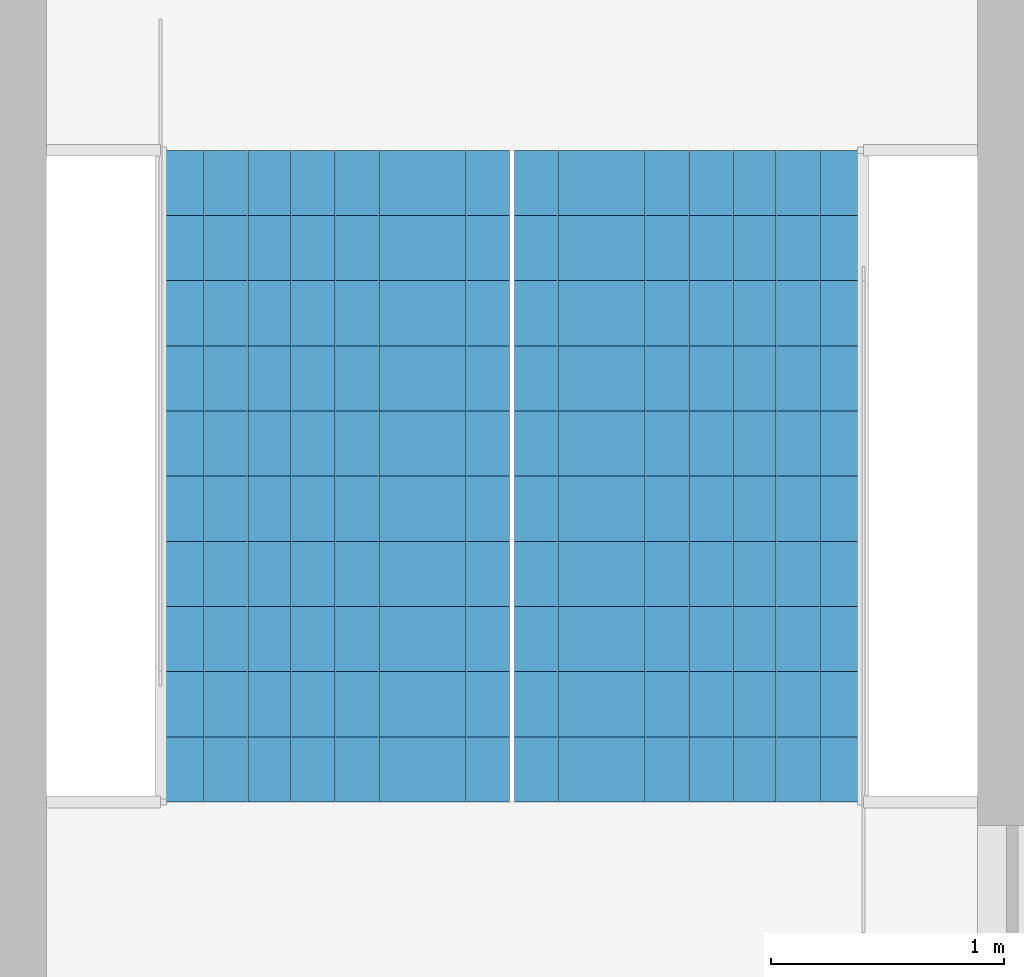
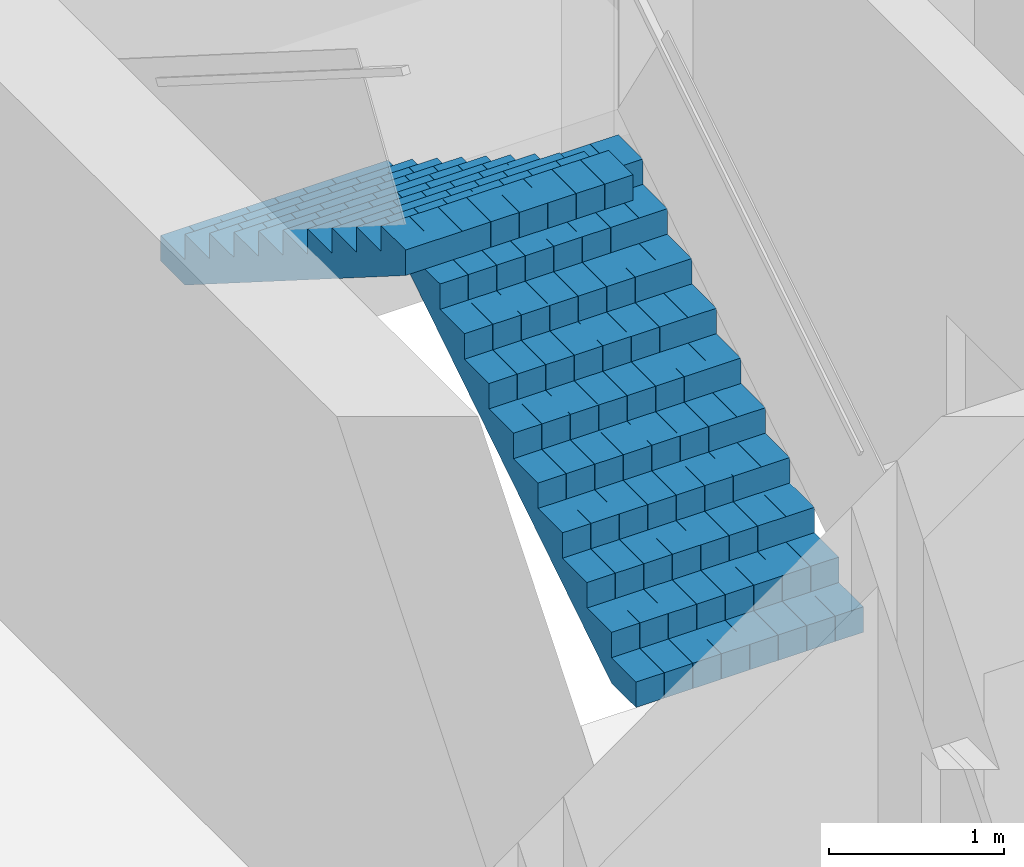
# One storey, part 13 of 15: 2 stair flights, 1 element without a shape of its own.
"""IFC4 building model written with IfcOpenShell, lengths in metres."""

import ifcopenshell
import ifcopenshell.guid

model = None  # the IFC model being written
_history = None  # IfcOwnerHistory: only IFC2X3 demands one
_inside = {}  # id of a spatial element -> (the spatial element, [elements in it])
_under = {}  # id of a project, library or spatial element -> (it, [spatial elements below it])
_declared = {}  # id of a project -> (the project, [libraries it declares])
_typed = {}  # id of a type object -> (the type object, [elements of that type])
_made_of = {}  # id of a material, layer set ... -> (it, [elements and type objects made of it])


def new_model(schema):
    """Start an empty IFC model of exactly this schema.

    Asked for "IFC4X3", IfcOpenShell would pick the latest addendum, in which some entities
    have other attributes; the version numbers below select the first issue.
    IFC2X3 requires an IfcOwnerHistory on every rooted entity: one is made here for all.
    """
    global model, _history
    if schema == "IFC4X3":
        model = ifcopenshell.file(schema_version=(4, 3, 0, 0))
    else:
        model = ifcopenshell.file(schema=schema)
    _inside.clear()
    _under.clear()
    _declared.clear()
    _typed.clear()
    _made_of.clear()
    _history = None
    if model.schema == "IFC2X3":
        org = make("IfcOrganization", Name="unknown")
        user = make(
            "IfcPersonAndOrganization",
            ThePerson=make("IfcPerson", FamilyName="unknown"),
            TheOrganization=org,
        )
        app = make(
            "IfcApplication",
            ApplicationDeveloper=org,
            Version="unknown",
            ApplicationFullName="unknown",
            ApplicationIdentifier="unknown",
        )
        _history = make(
            "IfcOwnerHistory",
            OwningUser=user,
            OwningApplication=app,
            ChangeAction="ADDED",
            CreationDate=0,
        )
    return model


def make(cls, **values):
    """One entity of the class cls with the attributes given. An attribute that is None is left unset."""
    return model.create_entity(
        cls, **{name: value for name, value in values.items() if value is not None}
    )


def rooted(cls, **values):
    """An entity with a GlobalId (a new one), such as an element, a storey or a relation."""
    return make(cls, GlobalId=ifcopenshell.guid.new(), OwnerHistory=_history, **values)


def si_unit(unit_type, name, prefix=None):
    """IfcSIUnit, for example si_unit("LENGTHUNIT", "METRE", prefix="MILLI")."""
    return make("IfcSIUnit", UnitType=unit_type, Prefix=prefix, Name=name)


def assignment(units):
    """IfcUnitAssignment: the units of a project."""
    return None if units is None else make("IfcUnitAssignment", Units=units)


def point(xyz):
    """IfcCartesianPoint."""
    return None if xyz is None else make("IfcCartesianPoint", Coordinates=xyz)


def direction(xyz):
    """IfcDirection."""
    return None if xyz is None else make("IfcDirection", DirectionRatios=xyz)


def frame(location, z_axis=None, x_axis=None):
    """IfcAxis2Placement3D, a coordinate frame: its origin and axes. An axis left out is left unset."""
    return make(
        "IfcAxis2Placement3D",
        Location=point(location),
        Axis=direction(z_axis),
        RefDirection=direction(x_axis),
    )


def origin():
    """The frame at (0, 0, 0) with its axes left unset."""
    return frame((0.0, 0.0, 0.0))


def place(relative_to, where):
    """IfcLocalPlacement: puts the frame where relative to a parent placement (None: the world)."""
    return make(
        "IfcLocalPlacement", PlacementRelTo=relative_to, RelativePlacement=where
    )


def context(
    kind, dimensions, precision=None, world=None, true_north=None, identifier=None
):
    """IfcGeometricRepresentationContext, for example the 3D "Model" context."""
    return make(
        "IfcGeometricRepresentationContext",
        ContextIdentifier=identifier,
        ContextType=kind,
        CoordinateSpaceDimension=dimensions,
        Precision=precision,
        WorldCoordinateSystem=world,
        TrueNorth=true_north,
    )


def subcontext(parent, identifier, kind, view, scale=None):
    """IfcGeometricRepresentationSubContext, for example "Body" below "Model"."""
    return make(
        "IfcGeometricRepresentationSubContext",
        ContextIdentifier=identifier,
        ContextType=kind,
        ParentContext=parent,
        TargetScale=scale,
        TargetView=view,
    )


def project(units=None, contexts=None):
    """IfcProject with its units and contexts."""
    return rooted(
        "IfcProject",
        Name="project",
        RepresentationContexts=contexts,
        UnitsInContext=assignment(units),
    )


def spatial(cls, under=None, at=None, **own):
    """A site, building, storey or space (cls), placed at a placement, below another one or the project."""
    s = rooted(cls, ObjectPlacement=at, **own)
    if under is not None:
        _under.setdefault(under.id(), (under, []))[1].append(s)
    return s


def polyline(points):
    """IfcPolyline through the points."""
    return make("IfcPolyline", Points=[point(p) for p in points])


def outline(outer, holes=None, kind="AREA"):
    """IfcArbitraryClosedProfileDef: a profile drawn as a closed curve; with holes, ...WithVoids."""
    if holes is None:
        return make("IfcArbitraryClosedProfileDef", ProfileType=kind, OuterCurve=outer)
    return make(
        "IfcArbitraryProfileDefWithVoids",
        ProfileType=kind,
        OuterCurve=outer,
        InnerCurves=holes,
    )


def extrude(swept, where, along, depth):
    """IfcExtrudedAreaSolid: the profile swept, set in the frame where, extruded along a direction by depth."""
    return make(
        "IfcExtrudedAreaSolid",
        SweptArea=swept,
        Position=where,
        ExtrudedDirection=direction(along),
        Depth=depth,
    )


def shape(context_of_items, identifier, shape_type, items):
    """IfcShapeRepresentation: the items that make up one representation, for example the "Body"."""
    return make(
        "IfcShapeRepresentation",
        ContextOfItems=context_of_items,
        RepresentationIdentifier=identifier,
        RepresentationType=shape_type,
        Items=items,
    )


def material(Name=None, Category=None):
    """IfcMaterial."""
    return make("IfcMaterial", Name=Name, Category=Category)


def made_of(thing, what):
    """Note that an element or type object is made of a material, layer set ...; save() writes the relation."""
    if what is not None:
        _made_of.setdefault(what.id(), (what, []))[1].append(thing)
    return thing


def type_object(cls, material=None, **own):
    """A type object (cls), such as IfcWallType, which elements share."""
    return made_of(rooted(cls, **own), material)


def element(
    cls,
    number,
    at=None,
    inside=None,
    cuts=None,
    type_object=None,
    material=None,
    context=None,
    identifier="Body",
    shape_type=None,
    held_by="IfcProductDefinitionShape",
    body=None,
    shapes=None,
    **own,
):
    """One element of the class cls, such as IfcWall. Its Tag is "e" and its number.

    at: its placement. inside: the storey or other place that contains it. cuts: it is an
    opening in that element (IfcRelVoidsElement). A single representation is given by context,
    identifier, shape_type and body (its items); several are given by shapes. held_by: the class
    of the entity that holds the representations. save() writes the other relations.
    """
    e = rooted(cls, Tag="e%d" % number, ObjectPlacement=at, **own)
    if body is not None:
        shapes = [shape(context, identifier, shape_type, body)]
    if shapes is not None:
        e.Representation = make(held_by, Representations=shapes)
    if inside is not None:
        _inside.setdefault(inside.id(), (inside, []))[1].append(e)
    if cuts is not None:
        rooted(
            "IfcRelVoidsElement", RelatingBuildingElement=cuts, RelatedOpeningElement=e
        )
    if type_object is not None:
        _typed.setdefault(type_object.id(), (type_object, []))[1].append(e)
    return made_of(e, material)


def aggregate(whole, parts):
    """IfcRelAggregates: a whole, such as a stair, and the parts it consists of."""
    return rooted("IfcRelAggregates", RelatingObject=whole, RelatedObjects=parts)


def save(model, path):
    """Write the relations noted so far, then the file.

    IfcRelAggregates (storeys below a building ...), IfcRelContainedInSpatialStructure (elements
    in a storey), IfcRelDefinesByType, IfcRelAssociatesMaterial and IfcRelDeclares: one each for
    every whole, place, type object, material and project.
    """
    for whole, parts in _under.values():
        aggregate(whole, parts)
    for where, things in _inside.values():
        rooted(
            "IfcRelContainedInSpatialStructure",
            RelatedElements=things,
            RelatingStructure=where,
        )
    for kind, things in _typed.values():
        rooted("IfcRelDefinesByType", RelatedObjects=things, RelatingType=kind)
    for what, things in _made_of.values():
        rooted("IfcRelAssociatesMaterial", RelatedObjects=things, RelatingMaterial=what)
    for by, libraries in _declared.values():
        rooted("IfcRelDeclares", RelatingContext=by, RelatedDefinitions=libraries)
    model.write(path)


model = new_model("IFC4")

# Units and contexts
model_context = context("Model", 3, precision=1e-05, world=origin(), true_north=direction((0.0, 1.0)))
body_context = subcontext(model_context, "Body", "Model", "MODEL_VIEW")
ifc_project = project(units=[si_unit("LENGTHUNIT", "METRE"), si_unit("AREAUNIT", "SQUARE_METRE"), si_unit("VOLUMEUNIT", "CUBIC_METRE"), si_unit("PLANEANGLEUNIT", "RADIAN"), si_unit("MASSUNIT", "GRAM", prefix="KILO")], contexts=[model_context])

# Site, building, storey
site_placement = place(None, origin())
site = spatial("IfcSite", under=ifc_project, at=site_placement, CompositionType="ELEMENT")
building_placement = place(site_placement, origin())
building = spatial("IfcBuilding", under=site, at=building_placement, Name="Kolab Exchange Tower", CompositionType="ELEMENT")
storey_placement = place(building_placement, frame((0.0, 0.0, 138.800048828125)))
storey = spatial("IfcBuildingStorey", under=building, at=storey_placement, Name="L27", CompositionType="ELEMENT", Elevation=138.800048828125)

# Stair, stair flights
ifc_material = material(Name="Concrete C50/60", Category="concrete")
stair_type = type_object("IfcStairType", Name="STAIR ST1 RISER 177.3", PredefinedType="HALF_TURN_STAIR", material=ifc_material)
stair_placement = place(storey_placement, origin())
stair = element("IfcStair", 1, at=stair_placement, inside=storey, type_object=stair_type, Name="Stair 1", PredefinedType="HALF_TURN_STAIR")
stair_flight_type = type_object("IfcStairFlightType", Name="STAIR FLIGHT 1500 RISER 177.3", PredefinedType="STRAIGHT", material=ifc_material)
stair_flight_1_placement = place(storey_placement, frame((-6.489990234375, 5.550048828125, 0.0), z_axis=(0.0, 0.0, 1.0), x_axis=(0.0, 1.0, 0.0)))
stair_flight_1 = element("IfcStairFlight", 2, at=stair_flight_1_placement, type_object=stair_flight_type, Name="ST1 flight 1", NumberOfRisers=11, NumberOfTreads=10, PredefinedType="STRAIGHT", RiserHeight=0.177272727, TreadLength=0.28, context=body_context, shape_type="SweptSolid", body=[
    extrude(outline(polyline([(0.0, 0.0), (0.0, 0.17724609375), (0.280029296875, 0.17724609375), (0.280029296875, 0.3544921875), (0.56005859375, 0.3544921875), (0.56005859375, 0.53173828125), (0.840087890625, 0.53173828125), (0.840087890625, 0.708984375), (1.1201171875, 0.708984375), (1.1201171875, 0.886474609375), (1.39990234375, 0.886474609375), (1.39990234375, 1.063720703125), (1.679931640625, 1.063720703125), (1.679931640625, 1.240966796875), (1.9599609375, 1.240966796875), (1.9599609375, 1.418212890625), (2.239990234375, 1.418212890625), (2.239990234375, 1.595458984375), (2.52001953125, 1.595458984375), (2.52001953125, 1.772705078125), (2.800048828125, 1.772705078125), (2.800048828125, 1.949951171875), (2.800048828125, 1.59521484375), (0.2802734375, 0.0), (0.0, 0.0)])), frame((0.0, 0.75, 0.0), z_axis=(0.0, -1.0, 0.0), x_axis=(1.0, 0.0, 0.0)), (0.0, 0.0, 1.0), 0.185791015625),
    extrude(outline(polyline([(0.0, 0.0), (0.0, 0.17724609375), (0.280029296875, 0.17724609375), (0.280029296875, 0.3544921875), (0.56005859375, 0.3544921875), (0.56005859375, 0.53173828125), (0.840087890625, 0.53173828125), (0.840087890625, 0.708984375), (1.1201171875, 0.708984375), (1.1201171875, 0.886474609375), (1.39990234375, 0.886474609375), (1.39990234375, 1.063720703125), (1.679931640625, 1.063720703125), (1.679931640625, 1.240966796875), (1.9599609375, 1.240966796875), (1.9599609375, 1.418212890625), (2.239990234375, 1.418212890625), (2.239990234375, 1.595458984375), (2.52001953125, 1.595458984375), (2.52001953125, 1.772705078125), (2.800048828125, 1.772705078125), (2.800048828125, 1.949951171875), (2.800048828125, 1.59521484375), (0.2802734375, 0.0), (0.0, 0.0)])), frame((0.0, 0.562255859375, 0.0), z_axis=(0.0, -1.0, 0.0), x_axis=(1.0, 0.0, 0.0)), (0.0, 0.0, 1.0), 0.185791015625),
    extrude(outline(polyline([(0.0, 0.0), (0.0, 0.17724609375), (0.280029296875, 0.17724609375), (0.280029296875, 0.3544921875), (0.56005859375, 0.3544921875), (0.56005859375, 0.53173828125), (0.840087890625, 0.53173828125), (0.840087890625, 0.708984375), (1.1201171875, 0.708984375), (1.1201171875, 0.886474609375), (1.39990234375, 0.886474609375), (1.39990234375, 1.063720703125), (1.679931640625, 1.063720703125), (1.679931640625, 1.240966796875), (1.9599609375, 1.240966796875), (1.9599609375, 1.418212890625), (2.239990234375, 1.418212890625), (2.239990234375, 1.595458984375), (2.52001953125, 1.595458984375), (2.52001953125, 1.772705078125), (2.800048828125, 1.772705078125), (2.800048828125, 1.949951171875), (2.800048828125, 1.59521484375), (0.2802734375, 0.0), (0.0, 0.0)])), frame((0.0, 0.37451171875, 0.0), z_axis=(0.0, -1.0, 0.0), x_axis=(1.0, 0.0, 0.0)), (0.0, 0.0, 1.0), 0.185791015625),
    extrude(outline(polyline([(0.0, 0.0), (0.0, 0.17724609375), (0.280029296875, 0.17724609375), (0.280029296875, 0.3544921875), (0.56005859375, 0.3544921875), (0.56005859375, 0.53173828125), (0.840087890625, 0.53173828125), (0.840087890625, 0.708984375), (1.1201171875, 0.708984375), (1.1201171875, 0.886474609375), (1.39990234375, 0.886474609375), (1.39990234375, 1.063720703125), (1.679931640625, 1.063720703125), (1.679931640625, 1.240966796875), (1.9599609375, 1.240966796875), (1.9599609375, 1.418212890625), (2.239990234375, 1.418212890625), (2.239990234375, 1.595458984375), (2.52001953125, 1.595458984375), (2.52001953125, 1.772705078125), (2.800048828125, 1.772705078125), (2.800048828125, 1.949951171875), (2.800048828125, 1.59521484375), (0.2802734375, 0.0), (0.0, 0.0)])), frame((0.0, 0.186767578125, 0.0), z_axis=(0.0, -1.0, 0.0), x_axis=(1.0, 0.0, 0.0)), (0.0, 0.0, 1.0), 0.185791015625),
    extrude(outline(polyline([(0.0, 0.0), (0.0, 0.17724609375), (0.280029296875, 0.17724609375), (0.280029296875, 0.3544921875), (0.56005859375, 0.3544921875), (0.56005859375, 0.53173828125), (0.840087890625, 0.53173828125), (0.840087890625, 0.708984375), (1.1201171875, 0.708984375), (1.1201171875, 0.886474609375), (1.39990234375, 0.886474609375), (1.39990234375, 1.063720703125), (1.679931640625, 1.063720703125), (1.679931640625, 1.240966796875), (1.9599609375, 1.240966796875), (1.9599609375, 1.418212890625), (2.239990234375, 1.418212890625), (2.239990234375, 1.595458984375), (2.52001953125, 1.595458984375), (2.52001953125, 1.772705078125), (2.800048828125, 1.772705078125), (2.800048828125, 1.949951171875), (2.800048828125, 1.59521484375), (0.2802734375, 0.0), (0.0, 0.0)])), frame((0.0, -0.0009765625, 0.0), z_axis=(0.0, -1.0, 0.0), x_axis=(1.0, 0.0, 0.0)), (0.0, 0.0, 1.0), 0.185791015625),
    extrude(outline(polyline([(0.0, 0.0), (0.0, 0.17724609375), (0.280029296875, 0.17724609375), (0.280029296875, 0.3544921875), (0.56005859375, 0.3544921875), (0.56005859375, 0.53173828125), (0.840087890625, 0.53173828125), (0.840087890625, 0.708984375), (1.1201171875, 0.708984375), (1.1201171875, 0.886474609375), (1.39990234375, 0.886474609375), (1.39990234375, 1.063720703125), (1.679931640625, 1.063720703125), (1.679931640625, 1.240966796875), (1.9599609375, 1.240966796875), (1.9599609375, 1.418212890625), (2.239990234375, 1.418212890625), (2.239990234375, 1.595458984375), (2.52001953125, 1.595458984375), (2.52001953125, 1.772705078125), (2.800048828125, 1.772705078125), (2.800048828125, 1.949951171875), (2.800048828125, 1.59521484375), (0.2802734375, 0.0), (0.0, 0.0)])), frame((0.0, -0.188720703125, 0.0), z_axis=(0.0, -1.0, 0.0), x_axis=(1.0, 0.0, 0.0)), (0.0, 0.0, 1.0), 0.185791015625),
    extrude(outline(polyline([(0.0, 0.0), (0.0, 0.17724609375), (0.280029296875, 0.17724609375), (0.280029296875, 0.3544921875), (0.56005859375, 0.3544921875), (0.56005859375, 0.53173828125), (0.840087890625, 0.53173828125), (0.840087890625, 0.708984375), (1.1201171875, 0.708984375), (1.1201171875, 0.886474609375), (1.39990234375, 0.886474609375), (1.39990234375, 1.063720703125), (1.679931640625, 1.063720703125), (1.679931640625, 1.240966796875), (1.9599609375, 1.240966796875), (1.9599609375, 1.418212890625), (2.239990234375, 1.418212890625), (2.239990234375, 1.595458984375), (2.52001953125, 1.595458984375), (2.52001953125, 1.772705078125), (2.800048828125, 1.772705078125), (2.800048828125, 1.949951171875), (2.800048828125, 1.59521484375), (0.2802734375, 0.0), (0.0, 0.0)])), frame((0.0, -0.37646484375, 0.0), z_axis=(0.0, -1.0, 0.0), x_axis=(1.0, 0.0, 0.0)), (0.0, 0.0, 1.0), 0.185791015625),
    extrude(outline(polyline([(0.0, 0.0), (0.0, 0.17724609375), (0.280029296875, 0.17724609375), (0.280029296875, 0.3544921875), (0.56005859375, 0.3544921875), (0.56005859375, 0.53173828125), (0.840087890625, 0.53173828125), (0.840087890625, 0.708984375), (1.1201171875, 0.708984375), (1.1201171875, 0.886474609375), (1.39990234375, 0.886474609375), (1.39990234375, 1.063720703125), (1.679931640625, 1.063720703125), (1.679931640625, 1.240966796875), (1.9599609375, 1.240966796875), (1.9599609375, 1.418212890625), (2.239990234375, 1.418212890625), (2.239990234375, 1.595458984375), (2.52001953125, 1.595458984375), (2.52001953125, 1.772705078125), (2.800048828125, 1.772705078125), (2.800048828125, 1.949951171875), (2.800048828125, 1.59521484375), (0.2802734375, 0.0), (0.0, 0.0)])), frame((0.0, -0.564208984375, 0.0), z_axis=(0.0, -1.0, 0.0), x_axis=(1.0, 0.0, 0.0)), (0.0, 0.0, 1.0), 0.185791015625),
])
stair_flight_2_placement = place(storey_placement, frame((-8.010009765625, 8.35009765625, 1.949951171875), z_axis=(0.0, 0.0, 1.0), x_axis=(0.0, -1.0, 0.0)))
stair_flight_2 = element("IfcStairFlight", 3, at=stair_flight_2_placement, type_object=stair_flight_type, Name="ST1 flight 2", NumberOfRisers=11, NumberOfTreads=10, PredefinedType="STRAIGHT", RiserHeight=0.177272727, TreadLength=0.28, context=body_context, shape_type="SweptSolid", body=[
    extrude(outline(polyline([(0.0, 0.0), (0.0, 0.17724609375), (0.280029296875, 0.17724609375), (0.280029296875, 0.3544921875), (0.56005859375, 0.3544921875), (0.56005859375, 0.53173828125), (0.840087890625, 0.53173828125), (0.840087890625, 0.708984375), (1.1201171875, 0.708984375), (1.1201171875, 0.886474609375), (1.39990234375, 0.886474609375), (1.39990234375, 1.063720703125), (1.679931640625, 1.063720703125), (1.679931640625, 1.240966796875), (1.9599609375, 1.240966796875), (1.9599609375, 1.418212890625), (2.239990234375, 1.418212890625), (2.239990234375, 1.595458984375), (2.52001953125, 1.595458984375), (2.52001953125, 1.772705078125), (2.800048828125, 1.772705078125), (2.800048828125, 1.949951171875), (2.800048828125, 1.59521484375), (0.2802734375, 0.0), (0.0, 0.0)])), frame((0.0, 0.75, 0.0), z_axis=(0.0, -1.0, 0.0), x_axis=(1.0, 0.0, 0.0)), (0.0, 0.0, 1.0), 0.185791015625),
    extrude(outline(polyline([(0.0, 0.0), (0.0, 0.17724609375), (0.280029296875, 0.17724609375), (0.280029296875, 0.3544921875), (0.56005859375, 0.3544921875), (0.56005859375, 0.53173828125), (0.840087890625, 0.53173828125), (0.840087890625, 0.708984375), (1.1201171875, 0.708984375), (1.1201171875, 0.886474609375), (1.39990234375, 0.886474609375), (1.39990234375, 1.063720703125), (1.679931640625, 1.063720703125), (1.679931640625, 1.240966796875), (1.9599609375, 1.240966796875), (1.9599609375, 1.418212890625), (2.239990234375, 1.418212890625), (2.239990234375, 1.595458984375), (2.52001953125, 1.595458984375), (2.52001953125, 1.772705078125), (2.800048828125, 1.772705078125), (2.800048828125, 1.949951171875), (2.800048828125, 1.59521484375), (0.2802734375, 0.0), (0.0, 0.0)])), frame((0.0, 0.562255859375, 0.0), z_axis=(0.0, -1.0, 0.0), x_axis=(1.0, 0.0, 0.0)), (0.0, 0.0, 1.0), 0.185791015625),
    extrude(outline(polyline([(0.0, 0.0), (0.0, 0.17724609375), (0.280029296875, 0.17724609375), (0.280029296875, 0.3544921875), (0.56005859375, 0.3544921875), (0.56005859375, 0.53173828125), (0.840087890625, 0.53173828125), (0.840087890625, 0.708984375), (1.1201171875, 0.708984375), (1.1201171875, 0.886474609375), (1.39990234375, 0.886474609375), (1.39990234375, 1.063720703125), (1.679931640625, 1.063720703125), (1.679931640625, 1.240966796875), (1.9599609375, 1.240966796875), (1.9599609375, 1.418212890625), (2.239990234375, 1.418212890625), (2.239990234375, 1.595458984375), (2.52001953125, 1.595458984375), (2.52001953125, 1.772705078125), (2.800048828125, 1.772705078125), (2.800048828125, 1.949951171875), (2.800048828125, 1.59521484375), (0.2802734375, 0.0), (0.0, 0.0)])), frame((0.0, 0.37451171875, 0.0), z_axis=(0.0, -1.0, 0.0), x_axis=(1.0, 0.0, 0.0)), (0.0, 0.0, 1.0), 0.185791015625),
    extrude(outline(polyline([(0.0, 0.0), (0.0, 0.17724609375), (0.280029296875, 0.17724609375), (0.280029296875, 0.3544921875), (0.56005859375, 0.3544921875), (0.56005859375, 0.53173828125), (0.840087890625, 0.53173828125), (0.840087890625, 0.708984375), (1.1201171875, 0.708984375), (1.1201171875, 0.886474609375), (1.39990234375, 0.886474609375), (1.39990234375, 1.063720703125), (1.679931640625, 1.063720703125), (1.679931640625, 1.240966796875), (1.9599609375, 1.240966796875), (1.9599609375, 1.418212890625), (2.239990234375, 1.418212890625), (2.239990234375, 1.595458984375), (2.52001953125, 1.595458984375), (2.52001953125, 1.772705078125), (2.800048828125, 1.772705078125), (2.800048828125, 1.949951171875), (2.800048828125, 1.59521484375), (0.2802734375, 0.0), (0.0, 0.0)])), frame((0.0, 0.186767578125, 0.0), z_axis=(0.0, -1.0, 0.0), x_axis=(1.0, 0.0, 0.0)), (0.0, 0.0, 1.0), 0.185791015625),
    extrude(outline(polyline([(0.0, 0.0), (0.0, 0.17724609375), (0.280029296875, 0.17724609375), (0.280029296875, 0.3544921875), (0.56005859375, 0.3544921875), (0.56005859375, 0.53173828125), (0.840087890625, 0.53173828125), (0.840087890625, 0.708984375), (1.1201171875, 0.708984375), (1.1201171875, 0.886474609375), (1.39990234375, 0.886474609375), (1.39990234375, 1.063720703125), (1.679931640625, 1.063720703125), (1.679931640625, 1.240966796875), (1.9599609375, 1.240966796875), (1.9599609375, 1.418212890625), (2.239990234375, 1.418212890625), (2.239990234375, 1.595458984375), (2.52001953125, 1.595458984375), (2.52001953125, 1.772705078125), (2.800048828125, 1.772705078125), (2.800048828125, 1.949951171875), (2.800048828125, 1.59521484375), (0.2802734375, 0.0), (0.0, 0.0)])), frame((0.0, -0.0009765625, 0.0), z_axis=(0.0, -1.0, 0.0), x_axis=(1.0, 0.0, 0.0)), (0.0, 0.0, 1.0), 0.185791015625),
    extrude(outline(polyline([(0.0, 0.0), (0.0, 0.17724609375), (0.280029296875, 0.17724609375), (0.280029296875, 0.3544921875), (0.56005859375, 0.3544921875), (0.56005859375, 0.53173828125), (0.840087890625, 0.53173828125), (0.840087890625, 0.708984375), (1.1201171875, 0.708984375), (1.1201171875, 0.886474609375), (1.39990234375, 0.886474609375), (1.39990234375, 1.063720703125), (1.679931640625, 1.063720703125), (1.679931640625, 1.240966796875), (1.9599609375, 1.240966796875), (1.9599609375, 1.418212890625), (2.239990234375, 1.418212890625), (2.239990234375, 1.595458984375), (2.52001953125, 1.595458984375), (2.52001953125, 1.772705078125), (2.800048828125, 1.772705078125), (2.800048828125, 1.949951171875), (2.800048828125, 1.59521484375), (0.2802734375, 0.0), (0.0, 0.0)])), frame((0.0, -0.188720703125, 0.0), z_axis=(0.0, -1.0, 0.0), x_axis=(1.0, 0.0, 0.0)), (0.0, 0.0, 1.0), 0.185791015625),
    extrude(outline(polyline([(0.0, 0.0), (0.0, 0.17724609375), (0.280029296875, 0.17724609375), (0.280029296875, 0.3544921875), (0.56005859375, 0.3544921875), (0.56005859375, 0.53173828125), (0.840087890625, 0.53173828125), (0.840087890625, 0.708984375), (1.1201171875, 0.708984375), (1.1201171875, 0.886474609375), (1.39990234375, 0.886474609375), (1.39990234375, 1.063720703125), (1.679931640625, 1.063720703125), (1.679931640625, 1.240966796875), (1.9599609375, 1.240966796875), (1.9599609375, 1.418212890625), (2.239990234375, 1.418212890625), (2.239990234375, 1.595458984375), (2.52001953125, 1.595458984375), (2.52001953125, 1.772705078125), (2.800048828125, 1.772705078125), (2.800048828125, 1.949951171875), (2.800048828125, 1.59521484375), (0.2802734375, 0.0), (0.0, 0.0)])), frame((0.0, -0.37646484375, 0.0), z_axis=(0.0, -1.0, 0.0), x_axis=(1.0, 0.0, 0.0)), (0.0, 0.0, 1.0), 0.185791015625),
    extrude(outline(polyline([(0.0, 0.0), (0.0, 0.17724609375), (0.280029296875, 0.17724609375), (0.280029296875, 0.3544921875), (0.56005859375, 0.3544921875), (0.56005859375, 0.53173828125), (0.840087890625, 0.53173828125), (0.840087890625, 0.708984375), (1.1201171875, 0.708984375), (1.1201171875, 0.886474609375), (1.39990234375, 0.886474609375), (1.39990234375, 1.063720703125), (1.679931640625, 1.063720703125), (1.679931640625, 1.240966796875), (1.9599609375, 1.240966796875), (1.9599609375, 1.418212890625), (2.239990234375, 1.418212890625), (2.239990234375, 1.595458984375), (2.52001953125, 1.595458984375), (2.52001953125, 1.772705078125), (2.800048828125, 1.772705078125), (2.800048828125, 1.949951171875), (2.800048828125, 1.59521484375), (0.2802734375, 0.0), (0.0, 0.0)])), frame((0.0, -0.564208984375, 0.0), z_axis=(0.0, -1.0, 0.0), x_axis=(1.0, 0.0, 0.0)), (0.0, 0.0, 1.0), 0.185791015625),
])
aggregate(stair, [stair_flight_1, stair_flight_2])

save(model, "model.ifc")
